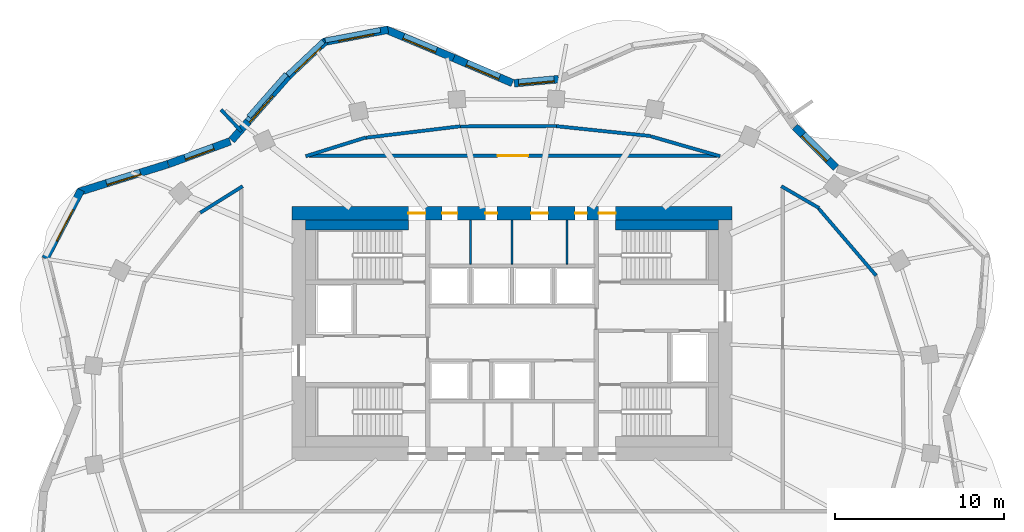
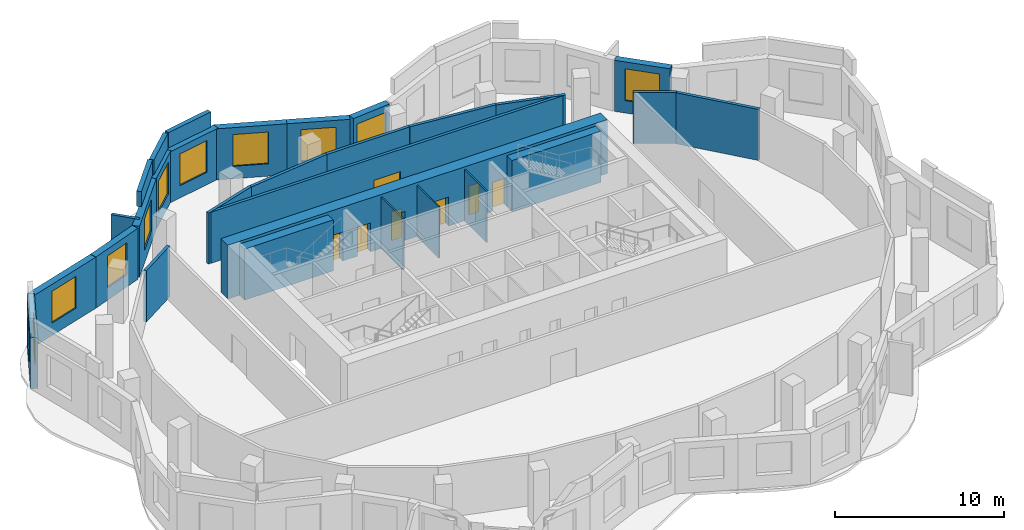
# One storey, part 6 of 8: 29 walls, 10 windows, 7 doors, 17 openings.
"""IFC4 building model written with IfcOpenShell, lengths in metres."""

from ifc_helpers import new_model, si_unit, direction, frame, frame_2d, origin, place, context, subcontext, project, spatial, rectangle, extrude, material, layer, layer_set, type_object, element, fill, save


model = new_model("IFC4")

# Units and contexts
model_context = context("Model", 3, precision=1e-05, world=origin(), true_north=direction((0.0, 1.0)))
body_context = subcontext(model_context, "Body", "Model", "MODEL_VIEW")
ifc_project = project(units=[si_unit("LENGTHUNIT", "METRE"), si_unit("AREAUNIT", "SQUARE_METRE"), si_unit("VOLUMEUNIT", "CUBIC_METRE"), si_unit("PLANEANGLEUNIT", "RADIAN"), si_unit("MASSUNIT", "GRAM", prefix="KILO")], contexts=[model_context])

# Site, building, storey
site_placement = place(None, origin())
site = spatial("IfcSite", under=ifc_project, at=site_placement, CompositionType="ELEMENT")
building_placement = place(site_placement, origin())
building = spatial("IfcBuilding", under=site, at=building_placement, Name="Rubra Terraces Tower", CompositionType="ELEMENT")
storey_placement = place(building_placement, frame((0.0, 0.0, 240.89990234375)))
storey = spatial("IfcBuildingStorey", under=building, at=storey_placement, Name="L59", CompositionType="ELEMENT", Elevation=240.89990234375)

# Wall, opening, window
ifc_material_1 = material(Name="Brick masonry red-brown", Category="masonry")
ifc_layer_1 = layer(ifc_material_1, 0.449951171875)
ifc_layer_set_1 = layer_set([ifc_layer_1], Name="Brick masonry red-brown")
wall_type_1 = type_object("IfcWallType", Name="Brick facade wall 450", PredefinedType="SOLIDWALL", material=ifc_layer_set_1)
wall_1_placement = place(storey_placement, frame((19.145263671875, 14.285400390625, 0.0), z_axis=(0.0, 0.0, 1.0), x_axis=(-0.707427521052, 0.706785895769, 0.0)))
wall_1 = element("IfcWall", 1, at=wall_1_placement, inside=storey, type_object=wall_type_1, Name="Facade wall L59 bay 5", PredefinedType="SOLIDWALL", context=body_context, shape_type="SweptSolid", body=[
    extrude(rectangle(XDim=3.424560546875, YDim=0.449951171875, at=frame_2d((1.71240234375, 0.0))), origin(), (0.0, 0.0, 1.0), 3.7001953125),
])
opening_1_placement = place(wall_1_placement, frame((0.662353515625, 0.0, 0.89990234375)))
opening_1 = element("IfcOpeningElement", 2, at=opening_1_placement, cuts=wall_1, Name="Opening W1B", PredefinedType="OPENING", context=body_context, shape_type="SweptSolid", body=[
    extrude(rectangle(XDim=2.10009765625, YDim=2.300048828125, at=frame_2d((1.050048828125, 1.14990234375))), frame((0.0, 0.23486328125, 0.0), z_axis=(0.0, -1.0, 0.0), x_axis=(1.0, 0.0, 0.0)), (0.0, 0.0, 1.0), 0.469970703125),
])
ifc_material_2 = material(Name="Clear glass in aluminium frame", Category="aluminium")
window_type_1 = type_object("IfcWindowType", Name="Fixed deep-set window tall storey 2100 x 2300", PartitioningType="SINGLE_PANEL", PredefinedType="WINDOW", material=ifc_material_2)
window_1_placement = place(opening_1_placement, origin())
window_1 = element("IfcWindow", 3, at=window_1_placement, inside=storey, type_object=window_type_1, Name="Window L59 bay 5", OverallHeight=2.300048828125, OverallWidth=2.10009765625, PartitioningType="SINGLE_PANEL", PredefinedType="WINDOW", context=body_context, shape_type="SweptSolid", body=[
    extrude(rectangle(XDim=2.10009765625, YDim=2.300048828125, at=frame_2d((1.050048828125, 1.14990234375))), frame((0.0, 0.135009765625, 0.0), z_axis=(0.0, -1.0, 0.0), x_axis=(1.0, 0.0, 0.0)), (0.0, 0.0, 1.0), 0.06005859375),
])
fill(opening_1, window_1)

wall_2_placement = place(storey_placement, frame((2.745361328125, 19.52490234375, 0.0), z_axis=(0.0, 0.0, 1.0), x_axis=(-0.995768774275, -0.091894222771, 0.0)))
wall_2 = element("IfcWall", 4, at=wall_2_placement, inside=storey, type_object=wall_type_1, Name="Facade wall L59 bay 10", PredefinedType="SOLIDWALL", context=body_context, shape_type="SweptSolid", body=[
    extrude(rectangle(XDim=2.624755859375, YDim=0.449951171875, at=frame_2d((1.3125, 0.0))), origin(), (0.0, 0.0, 1.0), 3.7001953125),
])
opening_2_placement = place(wall_2_placement, frame((0.262451171875, 0.0, 0.89990234375)))
opening_2 = element("IfcOpeningElement", 5, at=opening_2_placement, cuts=wall_2, Name="Opening W1B", PredefinedType="OPENING", context=body_context, shape_type="SweptSolid", body=[
    extrude(rectangle(XDim=2.10009765625, YDim=2.300048828125, at=frame_2d((1.050048828125, 1.14990234375))), frame((0.0, 0.23486328125, 0.0), z_axis=(0.0, -1.0, 0.0), x_axis=(1.0, 0.0, 0.0)), (0.0, 0.0, 1.0), 0.469970703125),
])
window_2_placement = place(opening_2_placement, origin())
window_2 = element("IfcWindow", 6, at=window_2_placement, inside=storey, type_object=window_type_1, Name="Window L59 bay 10", OverallHeight=2.300048828125, OverallWidth=2.10009765625, PartitioningType="SINGLE_PANEL", PredefinedType="WINDOW", context=body_context, shape_type="SweptSolid", body=[
    extrude(rectangle(XDim=2.10009765625, YDim=2.300048828125, at=frame_2d((1.050048828125, 1.14990234375))), frame((0.0, 0.135009765625, 0.0), z_axis=(0.0, -1.0, 0.0), x_axis=(1.0, 0.0, 0.0)), (0.0, 0.0, 1.0), 0.06005859375),
])
fill(opening_2, window_2)

wall_3_placement = place(storey_placement, frame((0.0263671875, 19.29931640625, 0.0), z_axis=(0.0, 0.0, 1.0), x_axis=(-0.920040408927, 0.391823488245, 0.0)))
wall_3 = element("IfcWall", 7, at=wall_3_placement, inside=storey, type_object=wall_type_1, Name="Facade wall L59 bay 11", PredefinedType="SOLIDWALL", context=body_context, shape_type="SweptSolid", body=[
    extrude(rectangle(XDim=3.769775390625, YDim=0.449951171875, at=frame_2d((1.884765625, 0.0))), origin(), (0.0, 0.0, 1.0), 3.7001953125),
])
opening_3_placement = place(wall_3_placement, frame((0.8349609375, 0.0, 0.89990234375)))
opening_3 = element("IfcOpeningElement", 8, at=opening_3_placement, cuts=wall_3, Name="Opening W1B", PredefinedType="OPENING", context=body_context, shape_type="SweptSolid", body=[
    extrude(rectangle(XDim=2.10009765625, YDim=2.300048828125, at=frame_2d((1.050048828125, 1.14990234375))), frame((0.0, 0.23486328125, 0.0), z_axis=(0.0, -1.0, 0.0), x_axis=(1.0, 0.0, 0.0)), (0.0, 0.0, 1.0), 0.469970703125),
])
window_3_placement = place(opening_3_placement, origin())
window_3 = element("IfcWindow", 9, at=window_3_placement, inside=storey, type_object=window_type_1, Name="Window L59 bay 11", OverallHeight=2.300048828125, OverallWidth=2.10009765625, PartitioningType="SINGLE_PANEL", PredefinedType="WINDOW", context=body_context, shape_type="SweptSolid", body=[
    extrude(rectangle(XDim=2.10009765625, YDim=2.300048828125, at=frame_2d((1.050048828125, 1.14990234375))), frame((0.0, 0.135009765625, 0.0), z_axis=(0.0, -1.0, 0.0), x_axis=(1.0, 0.0, 0.0)), (0.0, 0.0, 1.0), 0.06005859375),
])
fill(opening_3, window_3)

wall_4_placement = place(storey_placement, frame((-3.44140625, 20.776123046875, 0.0), z_axis=(0.0, 0.0, 1.0), x_axis=(-0.921988121387, 0.387218160758, 0.0)))
wall_4 = element("IfcWall", 10, at=wall_4_placement, inside=storey, type_object=wall_type_1, Name="Facade wall L59 bay 12", PredefinedType="SOLIDWALL", context=body_context, shape_type="SweptSolid", body=[
    extrude(rectangle(XDim=4.3466796875, YDim=0.449951171875, at=frame_2d((2.17333984375, 0.0))), origin(), (0.0, 0.0, 1.0), 3.7001953125),
])
opening_4_placement = place(wall_4_placement, frame((1.123291015625, 0.0, 0.89990234375)))
opening_4 = element("IfcOpeningElement", 11, at=opening_4_placement, cuts=wall_4, Name="Opening W1B", PredefinedType="OPENING", context=body_context, shape_type="SweptSolid", body=[
    extrude(rectangle(XDim=2.10009765625, YDim=2.300048828125, at=frame_2d((1.050048828125, 1.14990234375))), frame((0.0, 0.23486328125, 0.0), z_axis=(0.0, -1.0, 0.0), x_axis=(1.0, 0.0, 0.0)), (0.0, 0.0, 1.0), 0.469970703125),
])
window_4_placement = place(opening_4_placement, origin())
window_4 = element("IfcWindow", 12, at=window_4_placement, inside=storey, type_object=window_type_1, Name="Window L59 bay 12", OverallHeight=2.300048828125, OverallWidth=2.10009765625, PartitioningType="SINGLE_PANEL", PredefinedType="WINDOW", context=body_context, shape_type="SweptSolid", body=[
    extrude(rectangle(XDim=2.10009765625, YDim=2.300048828125, at=frame_2d((1.050048828125, 1.14990234375))), frame((0.0, 0.135009765625, 0.0), z_axis=(0.0, -1.0, 0.0), x_axis=(1.0, 0.0, 0.0)), (0.0, 0.0, 1.0), 0.06005859375),
])
fill(opening_4, window_4)

wall_5_placement = place(storey_placement, frame((-7.322998046875, 22.447021484375, 0.0), z_axis=(0.0, 0.0, 1.0), x_axis=(-0.982420993638, -0.18667884524, 0.0)))
wall_5 = element("IfcWall", 13, at=wall_5_placement, inside=storey, type_object=wall_type_1, Name="Facade wall L59 bay 13", PredefinedType="SOLIDWALL", context=body_context, shape_type="SweptSolid", body=[
    extrude(rectangle(XDim=3.88427734375, YDim=0.449951171875, at=frame_2d((1.942138671875, 0.0))), origin(), (0.0, 0.0, 1.0), 3.7001953125),
])
opening_5_placement = place(wall_5_placement, frame((0.89208984375, 0.0, 0.89990234375)))
opening_5 = element("IfcOpeningElement", 14, at=opening_5_placement, cuts=wall_5, Name="Opening W1B", PredefinedType="OPENING", context=body_context, shape_type="SweptSolid", body=[
    extrude(rectangle(XDim=2.10009765625, YDim=2.300048828125, at=frame_2d((1.050048828125, 1.14990234375))), frame((0.0, 0.23486328125, 0.0), z_axis=(0.0, -1.0, 0.0), x_axis=(1.0, 0.0, 0.0)), (0.0, 0.0, 1.0), 0.469970703125),
])
window_5_placement = place(opening_5_placement, origin())
window_5 = element("IfcWindow", 15, at=window_5_placement, inside=storey, type_object=window_type_1, Name="Window L59 bay 13", OverallHeight=2.300048828125, OverallWidth=2.10009765625, PartitioningType="SINGLE_PANEL", PredefinedType="WINDOW", context=body_context, shape_type="SweptSolid", body=[
    extrude(rectangle(XDim=2.10009765625, YDim=2.300048828125, at=frame_2d((1.050048828125, 1.14990234375))), frame((0.0, 0.135009765625, 0.0), z_axis=(0.0, -1.0, 0.0), x_axis=(1.0, 0.0, 0.0)), (0.0, 0.0, 1.0), 0.06005859375),
])
fill(opening_5, window_5)

wall_6_placement = place(storey_placement, frame((-11.027099609375, 21.779052734375, 0.0), z_axis=(0.0, 0.0, 1.0), x_axis=(-0.728871214251, -0.684650825631, 0.0)))
wall_6 = element("IfcWall", 16, at=wall_6_placement, inside=storey, type_object=wall_type_1, Name="Facade wall L59 bay 14", PredefinedType="SOLIDWALL", context=body_context, shape_type="SweptSolid", body=[
    extrude(rectangle(XDim=3.031005859375, YDim=0.449951171875, at=frame_2d((1.515625, 0.0))), origin(), (0.0, 0.0, 1.0), 3.7001953125),
])
opening_6_placement = place(wall_6_placement, frame((0.465576171875, 0.0, 0.89990234375)))
opening_6 = element("IfcOpeningElement", 17, at=opening_6_placement, cuts=wall_6, Name="Opening W1B", PredefinedType="OPENING", context=body_context, shape_type="SweptSolid", body=[
    extrude(rectangle(XDim=2.10009765625, YDim=2.300048828125, at=frame_2d((1.050048828125, 1.14990234375))), frame((0.0, 0.23486328125, 0.0), z_axis=(0.0, -1.0, 0.0), x_axis=(1.0, 0.0, 0.0)), (0.0, 0.0, 1.0), 0.469970703125),
])
window_6_placement = place(opening_6_placement, origin())
window_6 = element("IfcWindow", 18, at=window_6_placement, inside=storey, type_object=window_type_1, Name="Window L59 bay 14", OverallHeight=2.300048828125, OverallWidth=2.10009765625, PartitioningType="SINGLE_PANEL", PredefinedType="WINDOW", context=body_context, shape_type="SweptSolid", body=[
    extrude(rectangle(XDim=2.10009765625, YDim=2.300048828125, at=frame_2d((1.050048828125, 1.14990234375))), frame((0.0, 0.135009765625, 0.0), z_axis=(0.0, -1.0, 0.0), x_axis=(1.0, 0.0, 0.0)), (0.0, 0.0, 1.0), 0.06005859375),
])
fill(opening_6, window_6)

wall_7_placement = place(storey_placement, frame((-13.221435546875, 19.71923828125, 0.0), z_axis=(0.0, 0.0, 1.0), x_axis=(-0.660424908916, -0.750892095899, 0.0)))
wall_7 = element("IfcWall", 19, at=wall_7_placement, inside=storey, type_object=wall_type_1, Name="Facade wall L59 bay 15", PredefinedType="SOLIDWALL", context=body_context, shape_type="SweptSolid", body=[
    extrude(rectangle(XDim=5.07080078125, YDim=0.449951171875, at=frame_2d((2.535400390625, 0.0))), origin(), (0.0, 0.0, 1.0), 3.7001953125),
])
opening_7_placement = place(wall_7_placement, frame((1.4853515625, 0.0, 0.89990234375)))
opening_7 = element("IfcOpeningElement", 20, at=opening_7_placement, cuts=wall_7, Name="Opening W1B", PredefinedType="OPENING", context=body_context, shape_type="SweptSolid", body=[
    extrude(rectangle(XDim=2.10009765625, YDim=2.300048828125, at=frame_2d((1.050048828125, 1.14990234375))), frame((0.0, 0.23486328125, 0.0), z_axis=(0.0, -1.0, 0.0), x_axis=(1.0, 0.0, 0.0)), (0.0, 0.0, 1.0), 0.469970703125),
])
window_7_placement = place(opening_7_placement, origin())
window_7 = element("IfcWindow", 21, at=window_7_placement, inside=storey, type_object=window_type_1, Name="Window L59 bay 15", OverallHeight=2.300048828125, OverallWidth=2.10009765625, PartitioningType="SINGLE_PANEL", PredefinedType="WINDOW", context=body_context, shape_type="SweptSolid", body=[
    extrude(rectangle(XDim=2.10009765625, YDim=2.300048828125, at=frame_2d((1.050048828125, 1.14990234375))), frame((0.0, 0.135009765625, 0.0), z_axis=(0.0, -1.0, 0.0), x_axis=(1.0, 0.0, 0.0)), (0.0, 0.0, 1.0), 0.06005859375),
])
fill(opening_7, window_7)

wall_8_placement = place(storey_placement, frame((-16.654052734375, 15.85205078125, 0.0), z_axis=(0.0, 0.0, 1.0), x_axis=(-0.938636568132, -0.344907803572, 0.0)))
wall_8 = element("IfcWall", 22, at=wall_8_placement, inside=storey, type_object=wall_type_1, Name="Facade wall L59 bay 16", PredefinedType="SOLIDWALL", context=body_context, shape_type="SweptSolid", body=[
    extrude(rectangle(XDim=3.887451171875, YDim=0.449951171875, at=frame_2d((1.94384765625, 0.0))), origin(), (0.0, 0.0, 1.0), 3.7001953125),
])
opening_8_placement = place(wall_8_placement, frame((1.043701171875, 0.0, 0.89990234375)))
opening_8 = element("IfcOpeningElement", 23, at=opening_8_placement, cuts=wall_8, Name="Opening W6B", PredefinedType="OPENING", context=body_context, shape_type="SweptSolid", body=[
    extrude(rectangle(XDim=1.800048828125, YDim=2.300048828125, at=frame_2d((0.89990234375, 1.14990234375))), frame((0.0, 0.23486328125, 0.0), z_axis=(0.0, -1.0, 0.0), x_axis=(1.0, 0.0, 0.0)), (0.0, 0.0, 1.0), 0.469970703125),
])
window_type_2 = type_object("IfcWindowType", Name="Fixed deep-set window at wind fin tall storey 1800 x 2300", PartitioningType="SINGLE_PANEL", PredefinedType="WINDOW", material=ifc_material_2)
window_8_placement = place(opening_8_placement, origin())
window_8 = element("IfcWindow", 24, at=window_8_placement, inside=storey, type_object=window_type_2, Name="Window L59 bay 16", OverallHeight=2.300048828125, OverallWidth=1.800048828125, PartitioningType="SINGLE_PANEL", PredefinedType="WINDOW", context=body_context, shape_type="SweptSolid", body=[
    extrude(rectangle(XDim=1.800048828125, YDim=2.300048828125, at=frame_2d((0.89990234375, 1.14990234375))), frame((0.0, 0.135009765625, 0.0), z_axis=(0.0, -1.0, 0.0), x_axis=(1.0, 0.0, 0.0)), (0.0, 0.0, 1.0), 0.06005859375),
])
fill(opening_8, window_8)

wall_9_placement = place(storey_placement, frame((-20.31591796875, 14.506591796875, 0.0), z_axis=(0.0, 0.0, 1.0), x_axis=(-0.954807195185, -0.297225873743, 0.0)))
wall_9 = element("IfcWall", 25, at=wall_9_placement, inside=storey, type_object=wall_type_1, Name="Facade wall L59 bay 17", PredefinedType="SOLIDWALL", context=body_context, shape_type="SweptSolid", body=[
    extrude(rectangle(XDim=5.5263671875, YDim=0.449951171875, at=frame_2d((2.76318359375, 0.0))), origin(), (0.0, 0.0, 1.0), 3.7001953125),
])
opening_9_placement = place(wall_9_placement, frame((1.713134765625, 0.0, 0.89990234375)))
opening_9 = element("IfcOpeningElement", 26, at=opening_9_placement, cuts=wall_9, Name="Opening W1B", PredefinedType="OPENING", context=body_context, shape_type="SweptSolid", body=[
    extrude(rectangle(XDim=2.10009765625, YDim=2.300048828125, at=frame_2d((1.050048828125, 1.14990234375))), frame((0.0, 0.23486328125, 0.0), z_axis=(0.0, -1.0, 0.0), x_axis=(1.0, 0.0, 0.0)), (0.0, 0.0, 1.0), 0.469970703125),
])
window_9_placement = place(opening_9_placement, origin())
window_9 = element("IfcWindow", 27, at=window_9_placement, inside=storey, type_object=window_type_1, Name="Window L59 bay 17", OverallHeight=2.300048828125, OverallWidth=2.10009765625, PartitioningType="SINGLE_PANEL", PredefinedType="WINDOW", context=body_context, shape_type="SweptSolid", body=[
    extrude(rectangle(XDim=2.10009765625, YDim=2.300048828125, at=frame_2d((1.050048828125, 1.14990234375))), frame((0.0, 0.135009765625, 0.0), z_axis=(0.0, -1.0, 0.0), x_axis=(1.0, 0.0, 0.0)), (0.0, 0.0, 1.0), 0.06005859375),
])
fill(opening_9, window_9)

wall_10_placement = place(storey_placement, frame((-25.46533203125, 12.97314453125, 0.0), z_axis=(0.0, 0.0, 1.0), x_axis=(-0.461288789222, -0.887250050965, 0.0)))
wall_10 = element("IfcWall", 28, at=wall_10_placement, inside=storey, type_object=wall_type_1, Name="Facade wall L59 bay 18", PredefinedType="SOLIDWALL", context=body_context, shape_type="SweptSolid", body=[
    extrude(rectangle(XDim=4.568115234375, YDim=0.449951171875, at=frame_2d((2.2841796875, 0.0))), origin(), (0.0, 0.0, 1.0), 3.7001953125),
])
opening_10_placement = place(wall_10_placement, frame((1.23388671875, 0.0, 0.89990234375)))
opening_10 = element("IfcOpeningElement", 29, at=opening_10_placement, cuts=wall_10, Name="Opening W1B", PredefinedType="OPENING", context=body_context, shape_type="SweptSolid", body=[
    extrude(rectangle(XDim=2.10009765625, YDim=2.300048828125, at=frame_2d((1.050048828125, 1.14990234375))), frame((0.0, 0.23486328125, 0.0), z_axis=(0.0, -1.0, 0.0), x_axis=(1.0, 0.0, 0.0)), (0.0, 0.0, 1.0), 0.469970703125),
])
window_10_placement = place(opening_10_placement, origin())
window_10 = element("IfcWindow", 30, at=window_10_placement, inside=storey, type_object=window_type_1, Name="Window L59 bay 18", OverallHeight=2.300048828125, OverallWidth=2.10009765625, PartitioningType="SINGLE_PANEL", PredefinedType="WINDOW", context=body_context, shape_type="SweptSolid", body=[
    extrude(rectangle(XDim=2.10009765625, YDim=2.300048828125, at=frame_2d((1.050048828125, 1.14990234375))), frame((0.0, 0.135009765625, 0.0), z_axis=(0.0, -1.0, 0.0), x_axis=(1.0, 0.0, 0.0)), (0.0, 0.0, 1.0), 0.06005859375),
])
fill(opening_10, window_10)

# Walls
ifc_layer_2 = layer(ifc_material_1, 0.300048828125)
ifc_layer_set_2 = layer_set([ifc_layer_2], Name="Brick masonry red-brown")
wall_type_2 = type_object("IfcWallType", Name="Brick parapet 300", PredefinedType="PARAPET", material=ifc_layer_set_2)
wall_11_placement = place(storey_placement, frame((-7.777587890625, 22.43701171875, 3.900146484375), z_axis=(0.0, 0.0, 1.0), x_axis=(-0.98241446716, -0.186713188382, 0.0)))
element("IfcWall", 31, at=wall_11_placement, inside=storey, type_object=wall_type_2, Name="Parapet L59 bay 13", PredefinedType="PARAPET", context=body_context, shape_type="SweptSolid", body=[
    extrude(rectangle(XDim=3.318603515625, YDim=0.300048828125, at=frame_2d((1.6591796875, 0.0))), origin(), (0.0, 0.0, 1.0), 1.099853515625),
])
wall_12_placement = place(storey_placement, frame((-11.163818359375, 21.75341796875, 3.900146484375), z_axis=(0.0, 0.0, 1.0), x_axis=(-0.72886475222, -0.684657704967, 0.0)))
element("IfcWall", 32, at=wall_12_placement, inside=storey, type_object=wall_type_2, Name="Parapet L59 bay 14", PredefinedType="PARAPET", context=body_context, shape_type="SweptSolid", body=[
    extrude(rectangle(XDim=2.877197265625, YDim=0.300048828125, at=frame_2d((1.4384765625, 0.0))), origin(), (0.0, 0.0, 1.0), 1.099853515625),
])
wall_13_placement = place(storey_placement, frame((-13.338623046875, 19.822265625, 3.900146484375), z_axis=(0.0, 0.0, 1.0), x_axis=(-0.660445690116, -0.7508738179, 0.0)))
element("IfcWall", 33, at=wall_13_placement, inside=storey, type_object=wall_type_2, Name="Parapet L59 bay 15", PredefinedType="PARAPET", context=body_context, shape_type="SweptSolid", body=[
    extrude(rectangle(XDim=3.353271484375, YDim=0.300048828125, at=frame_2d((1.6767578125, 0.0))), origin(), (0.0, 0.0, 1.0), 1.099853515625),
])
ifc_layer_3 = layer(ifc_material_1, 0.199951171875)
ifc_layer_set_3 = layer_set([ifc_layer_3], Name="Brick masonry red-brown")
wall_type_3 = type_object("IfcWallType", Name="Brick wind fin 200", PredefinedType="SOLIDWALL", material=ifc_layer_set_3)
wall_14_placement = place(storey_placement, frame((-15.9951171875, 16.444091796875, 0.0), z_axis=(0.0, 0.0, 1.0), x_axis=(-0.683852936488, 0.729619874494, 0.0)))
element("IfcWall", 34, at=wall_14_placement, inside=storey, type_object=wall_type_3, Name="Wind fin L59 9", PredefinedType="SOLIDWALL", context=body_context, shape_type="SweptSolid", body=[
    extrude(rectangle(XDim=1.749755859375, YDim=0.199951171875, at=frame_2d((0.875, 0.0))), origin(), (0.0, 0.0, 1.0), 3.7001953125),
])

# Wall, openings, doors
ifc_material_3 = material(Name="Concrete C50", Category="concrete")
ifc_layer_4 = layer(ifc_material_3, 0.800048828125)
ifc_layer_set_4 = layer_set([ifc_layer_4], Name="Concrete C50")
wall_type_4 = type_object("IfcWallType", Name="CORE WALL 800 C50", PredefinedType="SHEAR", material=ifc_layer_set_4)
wall_15_placement = place(storey_placement, frame((-13.0, 11.60009765625, 0.0), z_axis=(0.0, 0.0, 1.0), x_axis=(1.0, 0.0, 0.0)))
wall_15 = element("IfcWall", 35, at=wall_15_placement, inside=storey, type_object=wall_type_4, Name="CORE WALL N L59", PredefinedType="SHEAR", context=body_context, shape_type="SweptSolid", body=[
    extrude(rectangle(XDim=26.0, YDim=0.800048828125, at=frame_2d((13.0, 0.0))), origin(), (0.0, 0.0, 1.0), 3.900146484375),
])
opening_11_placement = place(wall_15_placement, frame((8.875, 0.0, 0.0)))
opening_11 = element("IfcOpeningElement", 36, at=opening_11_placement, cuts=wall_15, Name="Opening L59.C19", PredefinedType="OPENING", context=body_context, shape_type="SweptSolid", body=[
    extrude(rectangle(XDim=0.89990234375, YDim=2.10009765625, at=frame_2d((0.449951171875, 1.050048828125))), frame((0.0, 0.409912109375, 0.0), z_axis=(0.0, -1.0, 0.0), x_axis=(1.0, 0.0, 0.0)), (0.0, 0.0, 1.0), 0.820068359375),
])
opening_12_placement = place(wall_15_placement, frame((11.425048828125, 0.0, 0.0)))
opening_12 = element("IfcOpeningElement", 37, at=opening_12_placement, cuts=wall_15, Name="Opening L59.C20", PredefinedType="OPENING", context=body_context, shape_type="SweptSolid", body=[
    extrude(rectangle(XDim=0.699951171875, YDim=2.10009765625, at=frame_2d((0.35009765625, 1.050048828125))), frame((0.0, 0.409912109375, 0.0), z_axis=(0.0, -1.0, 0.0), x_axis=(1.0, 0.0, 0.0)), (0.0, 0.0, 1.0), 0.820068359375),
])
opening_13_placement = place(wall_15_placement, frame((14.125, 0.0, 0.0)))
opening_13 = element("IfcOpeningElement", 38, at=opening_13_placement, cuts=wall_15, Name="Opening L59.C21", PredefinedType="OPENING", context=body_context, shape_type="SweptSolid", body=[
    extrude(rectangle(XDim=1.0, YDim=2.10009765625, at=frame_2d((0.5, 1.050048828125))), frame((0.0, 0.409912109375, 0.0), z_axis=(0.0, -1.0, 0.0), x_axis=(1.0, 0.0, 0.0)), (0.0, 0.0, 1.0), 0.820068359375),
])
opening_14_placement = place(wall_15_placement, frame((16.72509765625, 0.0, 0.0)))
opening_14 = element("IfcOpeningElement", 39, at=opening_14_placement, cuts=wall_15, Name="Opening L59.C22", PredefinedType="OPENING", context=body_context, shape_type="SweptSolid", body=[
    extrude(rectangle(XDim=0.699951171875, YDim=2.10009765625, at=frame_2d((0.35009765625, 1.050048828125))), frame((0.0, 0.409912109375, 0.0), z_axis=(0.0, -1.0, 0.0), x_axis=(1.0, 0.0, 0.0)), (0.0, 0.0, 1.0), 0.820068359375),
])
opening_15_placement = place(wall_15_placement, frame((6.8798828125, 0.0, 0.0)))
opening_15 = element("IfcOpeningElement", 40, at=opening_15_placement, cuts=wall_15, Name="Opening L59.C24", PredefinedType="OPENING", context=body_context, shape_type="SweptSolid", body=[
    extrude(rectangle(XDim=1.0, YDim=2.10009765625, at=frame_2d((0.5, 1.050048828125))), frame((0.0, 0.409912109375, 0.0), z_axis=(0.0, -1.0, 0.0), x_axis=(1.0, 0.0, 0.0)), (0.0, 0.0, 1.0), 0.820068359375),
])
opening_16_placement = place(wall_15_placement, frame((18.1201171875, 0.0, 0.0)))
opening_16 = element("IfcOpeningElement", 41, at=opening_16_placement, cuts=wall_15, Name="Opening L59.C25", PredefinedType="OPENING", context=body_context, shape_type="SweptSolid", body=[
    extrude(rectangle(XDim=1.0, YDim=2.10009765625, at=frame_2d((0.5, 1.050048828125))), frame((0.0, 0.409912109375, 0.0), z_axis=(0.0, -1.0, 0.0), x_axis=(1.0, 0.0, 0.0)), (0.0, 0.0, 1.0), 0.820068359375),
])
ifc_material_4 = material(Name="Painted steel", Category="steel")
door_type_1 = type_object("IfcDoorType", Name="Fire door 1000x2100 single", OperationType="NOTDEFINED", PredefinedType="DOOR", material=ifc_material_4)
door_1_placement = place(opening_13_placement, origin())
door_1 = element("IfcDoor", 42, at=door_1_placement, inside=storey, type_object=door_type_1, Name="General store door", OperationType="SINGLE_SWING_LEFT", OverallHeight=2.10009765625, OverallWidth=1.0, PredefinedType="DOOR", context=body_context, shape_type="SweptSolid", body=[
    extrude(rectangle(XDim=1.0, YDim=2.10009765625, at=frame_2d((0.5, 1.050048828125))), frame((0.0, 0.02490234375, 0.0), z_axis=(0.0, -1.0, 0.0), x_axis=(1.0, 0.0, 0.0)), (0.0, 0.0, 1.0), 0.050048828125),
])
fill(opening_13, door_1)
door_2_placement = place(opening_15_placement, origin())
door_2 = element("IfcDoor", 43, at=door_2_placement, inside=storey, type_object=door_type_1, Name="Stair S2 refuge door", OperationType="SINGLE_SWING_RIGHT", OverallHeight=2.10009765625, OverallWidth=1.0, PredefinedType="DOOR", context=body_context, shape_type="SweptSolid", body=[
    extrude(rectangle(XDim=1.0, YDim=2.10009765625, at=frame_2d((0.5, 1.050048828125))), frame((0.0, 0.02490234375, 0.0), z_axis=(0.0, -1.0, 0.0), x_axis=(1.0, 0.0, 0.0)), (0.0, 0.0, 1.0), 0.050048828125),
])
fill(opening_15, door_2)
door_3_placement = place(opening_16_placement, origin())
door_3 = element("IfcDoor", 44, at=door_3_placement, inside=storey, type_object=door_type_1, Name="Stair S3 refuge door", OperationType="SINGLE_SWING_LEFT", OverallHeight=2.10009765625, OverallWidth=1.0, PredefinedType="DOOR", context=body_context, shape_type="SweptSolid", body=[
    extrude(rectangle(XDim=1.0, YDim=2.10009765625, at=frame_2d((0.5, 1.050048828125))), frame((0.0, 0.02490234375, 0.0), z_axis=(0.0, -1.0, 0.0), x_axis=(1.0, 0.0, 0.0)), (0.0, 0.0, 1.0), 0.050048828125),
])
fill(opening_16, door_3)
door_type_2 = type_object("IfcDoorType", Name="Fire door 900x2100 single", OperationType="NOTDEFINED", PredefinedType="DOOR", material=ifc_material_4)
door_4_placement = place(opening_11_placement, origin())
door_4 = element("IfcDoor", 45, at=door_4_placement, inside=storey, type_object=door_type_2, Name="Cleaner's store door", OperationType="SINGLE_SWING_LEFT", OverallHeight=2.10009765625, OverallWidth=0.89990234375, PredefinedType="DOOR", context=body_context, shape_type="SweptSolid", body=[
    extrude(rectangle(XDim=0.89990234375, YDim=2.10009765625, at=frame_2d((0.449951171875, 1.050048828125))), frame((0.0, 0.02490234375, 0.0), z_axis=(0.0, -1.0, 0.0), x_axis=(1.0, 0.0, 0.0)), (0.0, 0.0, 1.0), 0.050048828125),
])
fill(opening_11, door_4)
door_type_3 = type_object("IfcDoorType", Name="Riser access door 700x2100 single", OperationType="NOTDEFINED", PredefinedType="DOOR", material=ifc_material_4)
door_5_placement = place(opening_12_placement, origin())
door_5 = element("IfcDoor", 46, at=door_5_placement, inside=storey, type_object=door_type_3, Name="Telecoms room door", OperationType="SINGLE_SWING_RIGHT", OverallHeight=2.10009765625, OverallWidth=0.699951171875, PredefinedType="DOOR", context=body_context, shape_type="SweptSolid", body=[
    extrude(rectangle(XDim=0.699951171875, YDim=2.10009765625, at=frame_2d((0.35009765625, 1.050048828125))), frame((0.0, 0.02490234375, 0.0), z_axis=(0.0, -1.0, 0.0), x_axis=(1.0, 0.0, 0.0)), (0.0, 0.0, 1.0), 0.050048828125),
])
fill(opening_12, door_5)
door_6_placement = place(opening_14_placement, origin())
door_6 = element("IfcDoor", 47, at=door_6_placement, inside=storey, type_object=door_type_3, Name="Mechanical riser (water and drainage) door", OperationType="SINGLE_SWING_RIGHT", OverallHeight=2.10009765625, OverallWidth=0.699951171875, PredefinedType="DOOR", context=body_context, shape_type="SweptSolid", body=[
    extrude(rectangle(XDim=0.699951171875, YDim=2.10009765625, at=frame_2d((0.35009765625, 1.050048828125))), frame((0.0, 0.02490234375, 0.0), z_axis=(0.0, -1.0, 0.0), x_axis=(1.0, 0.0, 0.0)), (0.0, 0.0, 1.0), 0.050048828125),
])
fill(opening_14, door_6)

# Walls
ifc_material_5 = material(Name="Concrete C40", Category="concrete")
ifc_layer_5 = layer(ifc_material_5, 0.60009765625)
ifc_layer_set_5 = layer_set([ifc_layer_5], Name="Concrete C40")
wall_type_5 = type_object("IfcWallType", Name="Core lining wall 600 concrete", PredefinedType="SOLIDWALL", material=ifc_layer_set_5)
for number, where, z_axis, x_axis, name in (
    (48, (-12.199951171875, 10.89990234375, 0.0), (0.0, 0.0, 1.0), (1.0, 0.0, 0.0), "CORE LINING WALL L59"),
    (49, (12.199951171875, 10.89990234375, 0.0), (0.0, 0.0, 1.0), (-1.0, 0.0, 0.0), "CORE LINING WALL L59"),
):
    element("IfcWall", number, at=place(storey_placement, frame(where, z_axis=z_axis, x_axis=x_axis)), inside=storey, type_object=wall_type_5, Name=name, PredefinedType="SOLIDWALL", context=body_context, shape_type="SweptSolid", body=[
        extrude(rectangle(XDim=6.079833984375, YDim=0.60009765625, at=frame_2d((3.0400390625, 0.0))), origin(), (0.0, 0.0, 1.0), 3.7001953125),
    ])
ifc_material_6 = material(Name="Blockwork", Category="masonry")
ifc_layer_6 = layer(ifc_material_6, 0.199951171875)
ifc_layer_set_6 = layer_set([ifc_layer_6], Name="Blockwork")
wall_type_6 = type_object("IfcWallType", Name="Corridor partition 200 blockwork", PredefinedType="PARTITIONING", material=ifc_layer_set_6)
wall_16_placement = place(storey_placement, frame((-18.422119140625, 11.635009765625, 0.0), z_axis=(0.0, 0.0, 1.0), x_axis=(0.848299824463, 0.529516201656, 0.0)))
element("IfcWall", 50, at=wall_16_placement, inside=storey, type_object=wall_type_6, Name="Partition wall", PredefinedType="PARTITIONING", context=body_context, shape_type="SweptSolid", body=[
    extrude(rectangle(XDim=2.955322265625, YDim=0.199951171875, at=frame_2d((1.4775390625, 0.0))), origin(), (0.0, 0.0, 1.0), 3.7001953125),
])
wall_17_placement = place(storey_placement, frame((15.9130859375, 13.201904296875, 0.0), z_axis=(0.0, 0.0, 1.0), x_axis=(0.86524014554, -0.501357647339, 0.0)))
element("IfcWall", 51, at=wall_17_placement, inside=storey, type_object=wall_type_6, Name="Partition wall", PredefinedType="PARTITIONING", context=body_context, shape_type="SweptSolid", body=[
    extrude(rectangle(XDim=2.574951171875, YDim=0.199951171875, at=frame_2d((1.28759765625, 0.0))), origin(), (0.0, 0.0, 1.0), 3.7001953125),
])
wall_18_placement = place(storey_placement, frame((18.118896484375, 11.885009765625, 0.0), z_axis=(0.0, 0.0, 1.0), x_axis=(0.650510608515, -0.759497168006, 0.0)))
element("IfcWall", 52, at=wall_18_placement, inside=storey, type_object=wall_type_6, Name="Partition wall", PredefinedType="PARTITIONING", context=body_context, shape_type="SweptSolid", body=[
    extrude(rectangle(XDim=5.228271484375, YDim=0.199951171875, at=frame_2d((2.6142578125, 0.0))), origin(), (0.0, 0.0, 1.0), 3.7001953125),
])
wall_19_placement = place(storey_placement, frame((-12.193115234375, 14.969970703125, 0.0), z_axis=(0.0, 0.0, 1.0), x_axis=(0.954441570864, 0.298397868301, 0.0)))
element("IfcWall", 53, at=wall_19_placement, inside=storey, type_object=wall_type_6, Name="Partition wall", PredefinedType="PARTITIONING", context=body_context, shape_type="SweptSolid", body=[
    extrude(rectangle(XDim=3.7333984375, YDim=0.199951171875, at=frame_2d((1.86669921875, 0.0))), origin(), (0.0, 0.0, 1.0), 3.7001953125),
])
wall_20_placement = place(storey_placement, frame((-8.6259765625, 16.06591796875, 0.0), z_axis=(0.0, 0.0, 1.0), x_axis=(0.992720392358, 0.120441780942, 0.0)))
element("IfcWall", 54, at=wall_20_placement, inside=storey, type_object=wall_type_6, Name="Partition wall", PredefinedType="PARTITIONING", context=body_context, shape_type="SweptSolid", body=[
    extrude(rectangle(XDim=5.61279296875, YDim=0.199951171875, at=frame_2d((2.806396484375, 0.0))), origin(), (0.0, 0.0, 1.0), 3.7001953125),
])
wall_21_placement = place(storey_placement, frame((-3.052978515625, 16.72998046875, 0.0), z_axis=(0.0, 0.0, 1.0), x_axis=(0.999987762334, 0.004947239951, 0.0)))
element("IfcWall", 55, at=wall_21_placement, inside=storey, type_object=wall_type_6, Name="Partition wall", PredefinedType="PARTITIONING", context=body_context, shape_type="SweptSolid", body=[
    extrude(rectangle(XDim=5.675048828125, YDim=0.199951171875, at=frame_2d((2.83740234375, 0.0))), origin(), (0.0, 0.0, 1.0), 3.7001953125),
])
wall_22_placement = place(storey_placement, frame((2.62109375, 16.748046875, 0.0), z_axis=(0.0, 0.0, 1.0), x_axis=(0.99455907377, -0.104174127222, 0.0)))
element("IfcWall", 56, at=wall_22_placement, inside=storey, type_object=wall_type_6, Name="Partition wall", PredefinedType="PARTITIONING", context=body_context, shape_type="SweptSolid", body=[
    extrude(rectangle(XDim=5.62451171875, YDim=0.199951171875, at=frame_2d((2.812255859375, 0.0))), origin(), (0.0, 0.0, 1.0), 3.7001953125),
])
wall_23_placement = place(storey_placement, frame((8.2119140625, 16.14404296875, 0.0), z_axis=(0.0, 0.0, 1.0), x_axis=(0.961195849484, -0.275866886261, 0.0)))
element("IfcWall", 57, at=wall_23_placement, inside=storey, type_object=wall_type_6, Name="Partition wall", PredefinedType="PARTITIONING", context=body_context, shape_type="SweptSolid", body=[
    extrude(rectangle(XDim=4.248779296875, YDim=0.199951171875, at=frame_2d((2.12451171875, 0.0))), origin(), (0.0, 0.0, 1.0), 3.7001953125),
])

# Wall, opening, door
wall_24_placement = place(storey_placement, frame((12.10009765625, 15.0, 0.0), z_axis=(0.0, 0.0, 1.0), x_axis=(-1.0, 0.0, 0.0)))
wall_24 = element("IfcWall", 58, at=wall_24_placement, inside=storey, type_object=wall_type_6, Name="Partition wall", PredefinedType="PARTITIONING", context=body_context, shape_type="SweptSolid", body=[
    extrude(rectangle(XDim=24.09814453125, YDim=0.199951171875, at=frame_2d((12.049072265625, 0.0))), origin(), (0.0, 0.0, 1.0), 3.7001953125),
])
opening_17_placement = place(wall_24_placement, frame((11.14892578125, 0.0, 0.0)))
opening_17 = element("IfcOpeningElement", 59, at=opening_17_placement, cuts=wall_24, Name="Opening DB3", PredefinedType="OPENING", context=body_context, shape_type="SweptSolid", body=[
    extrude(rectangle(XDim=1.800048828125, YDim=2.10009765625, at=frame_2d((0.89990234375, 1.050048828125))), frame((0.0, 0.10986328125, 0.0), z_axis=(0.0, -1.0, 0.0), x_axis=(1.0, 0.0, 0.0)), (0.0, 0.0, 1.0), 0.219970703125),
])
door_type_4 = type_object("IfcDoorType", Name="Door 1800x2100 double", OperationType="NOTDEFINED", PredefinedType="DOOR", material=ifc_material_4)
door_7_placement = place(opening_17_placement, origin())
door_7 = element("IfcDoor", 60, at=door_7_placement, inside=storey, type_object=door_type_4, Name="Refuge area door L59-04", OperationType="DOUBLE_DOOR_SINGLE_SWING", OverallHeight=2.10009765625, OverallWidth=1.800048828125, PredefinedType="DOOR", context=body_context, shape_type="SweptSolid", body=[
    extrude(rectangle(XDim=1.800048828125, YDim=2.10009765625, at=frame_2d((0.89990234375, 1.050048828125))), frame((0.0, 0.02490234375, 0.0), z_axis=(0.0, -1.0, 0.0), x_axis=(1.0, 0.0, 0.0)), (0.0, 0.0, 1.0), 0.050048828125),
])
fill(opening_17, door_7)

# Walls
ifc_layer_7 = layer(ifc_material_6, 0.10009765625)
ifc_layer_set_7 = layer_set([ifc_layer_7], Name="Blockwork")
wall_type_7 = type_object("IfcWallType", Name="Service partition 100 blockwork", PredefinedType="PARTITIONING", material=ifc_layer_set_7)
for number, where, z_axis, x_axis, name in (
    (61, (-2.449951171875, 8.60009765625, 0.0), (0.0, 0.0, 1.0), (0.0, 1.0, 0.0), "SERVICE ROOM PARTITION L59"),
    (62, (0.0, 8.60009765625, 0.0), (0.0, 0.0, 1.0), (0.0, 1.0, 0.0), "SERVICE ROOM PARTITION L59"),
    (63, (3.25, 8.60009765625, 0.0), (0.0, 0.0, 1.0), (0.0, 1.0, 0.0), "SERVICE ROOM PARTITION L59"),
):
    element("IfcWall", number, at=place(storey_placement, frame(where, z_axis=z_axis, x_axis=x_axis)), inside=storey, type_object=wall_type_7, Name=name, PredefinedType="PARTITIONING", context=body_context, shape_type="SweptSolid", body=[
        extrude(rectangle(XDim=2.599853515625, YDim=0.10009765625, at=frame_2d((1.2998046875, 0.0))), origin(), (0.0, 0.0, 1.0), 3.7001953125),
    ])

save(model, "model.ifc")
